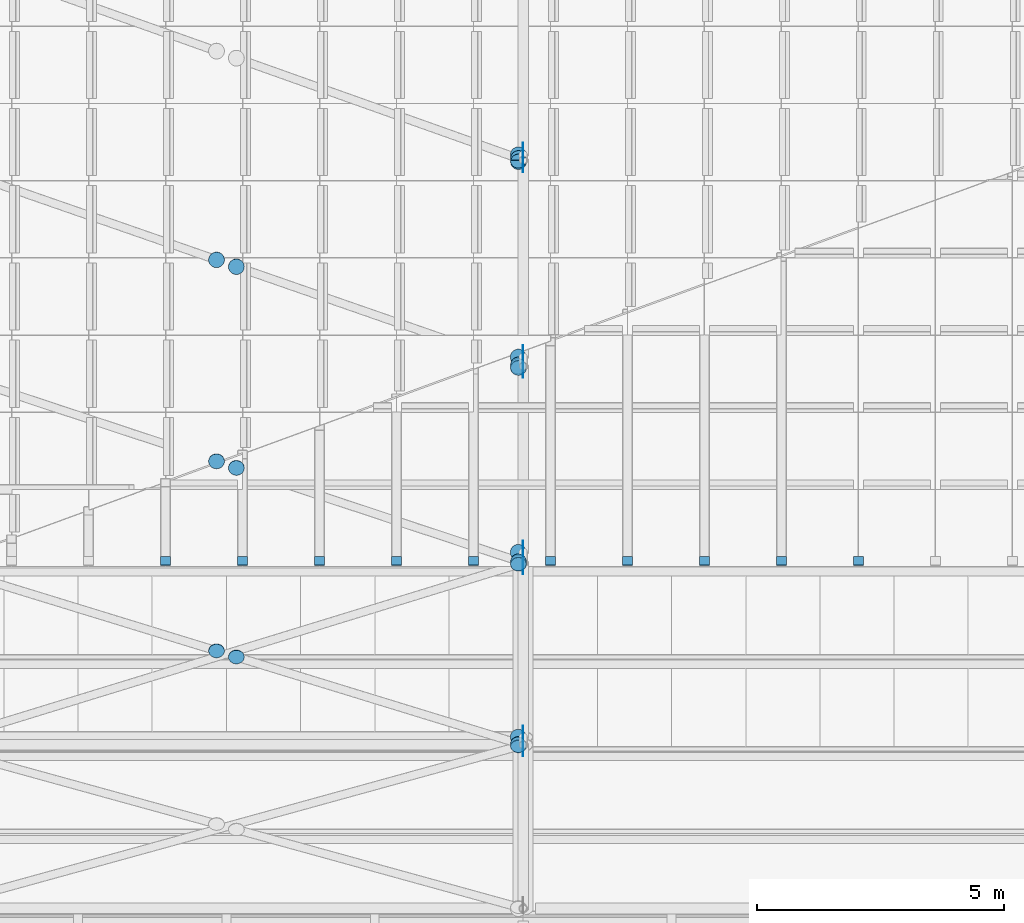
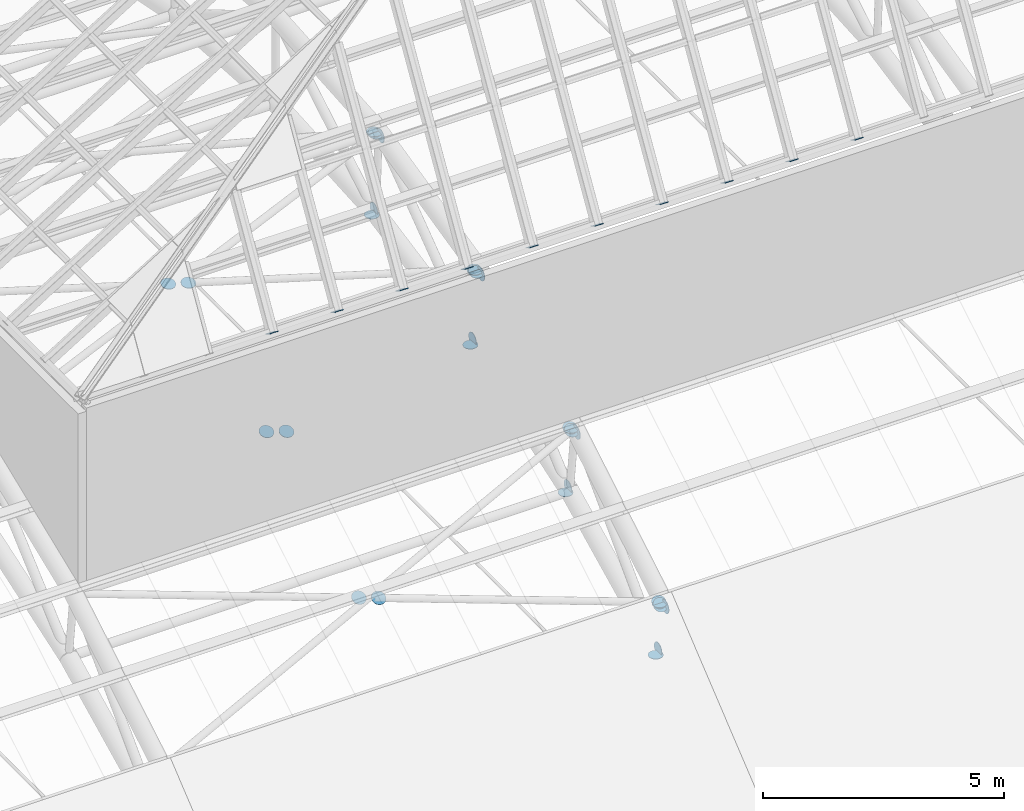
# One storey, part 88 of 110: 40 discrete accessories.
"""IFC4 building model written with IfcOpenShell, lengths in metres."""

from ifc_helpers import new_model, si_unit, direction, frame, origin, origin_2d, place, context, subcontext, project, spatial, rectangle, circle, extrude, material, layer, layer_set, type_object, element, save


model = new_model("IFC4")

# Units and contexts
model_context = context("Model", 3, precision=1e-05, world=origin(), true_north=direction((0.0, 1.0)))
body_context = subcontext(model_context, "Body", "Model", "MODEL_VIEW")
ifc_project = project(units=[si_unit("LENGTHUNIT", "METRE"), si_unit("AREAUNIT", "SQUARE_METRE"), si_unit("VOLUMEUNIT", "CUBIC_METRE"), si_unit("PLANEANGLEUNIT", "RADIAN"), si_unit("MASSUNIT", "GRAM", prefix="KILO")], contexts=[model_context])

# Site, building, storey
site_placement = place(None, origin())
site = spatial("IfcSite", under=ifc_project, at=site_placement, CompositionType="ELEMENT")
building_placement = place(site_placement, origin())
building = spatial("IfcBuilding", under=site, at=building_placement, Name="Windward Yard Aquatics Centre", CompositionType="ELEMENT")
storey_placement = place(building_placement, frame((0.0, 0.0, 22.60009765625)))
storey = spatial("IfcBuildingStorey", under=building, at=storey_placement, Name="L05", CompositionType="ELEMENT", Elevation=22.60009765625)

# Discrete accessories
ifc_material = material(Name="Steel S355", Category="steel")
ifc_layer_1 = layer(ifc_material, 0.010009765625)
ifc_layer_set_1 = layer_set([ifc_layer_1], Name="End cap plate 10 mm RHS203.2x203.2x9.5")
discrete_accessory_type_1 = type_object("IfcDiscreteAccessoryType", Name="End cap plate 10 mm RHS203.2x203.2x9.5", PredefinedType="USERDEFINED", material=ifc_layer_set_1)
for number, where, z_axis, x_axis, name in (
    (1, (108.55224609375, 48.623779296875, 10.8154296875), (0.0, 0.514495755428, 0.857492925713), (-1.0, 0.0, 0.0), "End cap"),
    (2, (111.665283203125, 48.623779296875, 10.8154296875), (0.0, 0.514495755428, 0.857492925713), (-1.0, 0.0, 0.0), "End cap"),
    (3, (105.439208984375, 48.623779296875, 10.8154296875), (0.0, 0.514495755428, 0.857492925713), (-1.0, 0.0, 0.0), "End cap"),
    (4, (102.326171875, 48.623779296875, 10.8154296875), (0.0, 0.514495755428, 0.857492925713), (-1.0, 0.0, 0.0), "End cap"),
    (5, (114.7783203125, 48.623779296875, 10.8154296875), (0.0, 0.514495755428, 0.857492925713), (-1.0, 0.0, 0.0), "End cap"),
    (6, (100.76953125, 48.623779296875, 10.8154296875), (0.0, 0.514495755428, 0.857492925713), (-1.0, 0.0, 0.0), "End cap"),
    (7, (103.882568359375, 48.623779296875, 10.8154296875), (0.0, 0.514495755428, 0.857492925713), (-1.0, 0.0, 0.0), "End cap"),
    (8, (113.2216796875, 48.623779296875, 10.8154296875), (0.0, 0.514495755428, 0.857492925713), (-1.0, 0.0, 0.0), "End cap"),
    (9, (106.99560546875, 48.623779296875, 10.8154296875), (0.0, 0.514495755428, 0.857492925713), (-1.0, 0.0, 0.0), "End cap"),
    (10, (110.108642578125, 48.623779296875, 10.8154296875), (0.0, 0.514495755428, 0.857492925713), (-1.0, 0.0, 0.0), "End cap"),
):
    element("IfcDiscreteAccessory", number, at=place(storey_placement, frame(where, z_axis=z_axis, x_axis=x_axis)), inside=storey, type_object=discrete_accessory_type_1, Name=name, ObjectType="END CAP", PredefinedType="USERDEFINED", context=body_context, shape_type="SweptSolid", body=[
        extrude(rectangle(XDim=0.203125, YDim=0.203125, at=origin_2d()), origin(), (0.0, 0.0, 1.0), 0.010009765625),
    ])
ifc_layer_2 = layer(ifc_material, 0.011962890625)
ifc_layer_set_2 = layer_set([ifc_layer_2], Name="Gusset plate 320 mm disc 12 mm")
discrete_accessory_type_2 = type_object("IfcDiscreteAccessoryType", Name="Gusset plate 320 mm disc 12 mm", PredefinedType="USERDEFINED", material=ifc_layer_set_2)
for number, where, z_axis, x_axis, name in (
    (11, (107.993896484375, 44.841064453125, 3.64306640625), (1.0, 0.0, 0.0), (0.0, 1.0, 0.0), "Gusset plate"),
    (12, (107.993896484375, 45.134765625, 2.390869140625), (1.0, 0.0, 0.0), (0.0, 1.0, 0.0), "Gusset plate"),
    (13, (107.993896484375, 48.520263671875, 5.8291015625), (1.0, 0.0, 0.0), (0.0, 1.0, 0.0), "Gusset plate"),
    (14, (107.993896484375, 48.877685546875, 4.23291015625), (1.0, 0.0, 0.0), (0.0, 1.0, 0.0), "Gusset plate"),
    (15, (107.993896484375, 52.48779296875, 7.4306640625), (1.0, 0.0, 0.0), (0.0, 1.0, 0.0), "Gusset plate"),
    (16, (107.993896484375, 52.83056640625, 5.568603515625), (1.0, 0.0, 0.0), (0.0, 1.0, 0.0), "Gusset plate"),
    (17, (107.993896484375, 56.6513671875, 8.41015625), (1.0, 0.0, 0.0), (0.0, 1.0, 0.0), "Gusset plate"),
    (18, (107.993896484375, 56.92529296875, 6.374755859375), (1.0, 0.0, 0.0), (0.0, 1.0, 0.0), "Gusset plate"),
):
    element("IfcDiscreteAccessory", number, at=place(storey_placement, frame(where, z_axis=z_axis, x_axis=x_axis)), inside=storey, type_object=discrete_accessory_type_2, Name=name, ObjectType="GUSSET PLATE", PredefinedType="USERDEFINED", context=body_context, shape_type="SweptSolid", body=[
        extrude(circle(Radius=0.159912109375, at=origin_2d()), origin(), (0.0, 0.0, 1.0), 0.01220703125),
    ])
for number, where, z_axis, x_axis, name in (
    (19, (107.89990234375, 44.907470703125, 3.7119140625), (0.0, 0.0, 1.0), (1.0, 0.0, 0.0), "Gusset plate"),
    (20, (107.89990234375, 48.59033203125, 5.89453125), (0.0, 0.0, 1.0), (1.0, 0.0, 0.0), "Gusset plate"),
):
    element("IfcDiscreteAccessory", number, at=place(storey_placement, frame(where, z_axis=z_axis, x_axis=x_axis)), inside=storey, type_object=discrete_accessory_type_2, Name=name, ObjectType="GUSSET PLATE", PredefinedType="USERDEFINED", context=body_context, shape_type="SweptSolid", body=[
        extrude(circle(Radius=0.159912109375, at=origin_2d()), origin(), (0.0, 0.0, 1.0), 0.011962890625),
    ])
discrete_accessory_1_placement = place(storey_placement, frame((107.89990234375, 52.5625, 7.49072265625), z_axis=(0.0, 0.0, 1.0), x_axis=(1.0, 0.0, 0.0)))
element("IfcDiscreteAccessory", 21, at=discrete_accessory_1_placement, inside=storey, type_object=discrete_accessory_type_2, Name="Gusset plate", ObjectType="GUSSET PLATE", PredefinedType="USERDEFINED", context=body_context, shape_type="SweptSolid", body=[
    extrude(circle(Radius=0.159912109375, at=origin_2d()), origin(), (0.0, 0.0, 1.0), 0.01220703125),
])
discrete_accessory_2_placement = place(storey_placement, frame((107.89990234375, 56.7314453125, 8.4638671875), z_axis=(0.0, 0.0, 1.0), x_axis=(1.0, 0.0, 0.0)))
element("IfcDiscreteAccessory", 22, at=discrete_accessory_2_placement, inside=storey, type_object=discrete_accessory_type_2, Name="Gusset plate", ObjectType="GUSSET PLATE", PredefinedType="USERDEFINED", context=body_context, shape_type="SweptSolid", body=[
    extrude(circle(Radius=0.159912109375, at=origin_2d()), origin(), (0.0, 0.0, 1.0), 0.011962890625),
])
discrete_accessory_3_placement = place(storey_placement, frame((107.90576171875, 44.877685546875, 3.701171875), z_axis=(0.0, 0.644135745783, -0.764911198117), x_axis=(-1.0, 0.0, 0.0)))
element("IfcDiscreteAccessory", 23, at=discrete_accessory_3_placement, inside=storey, type_object=discrete_accessory_type_2, Name="Gusset plate", ObjectType="GUSSET PLATE", PredefinedType="USERDEFINED", context=body_context, shape_type="SweptSolid", body=[
    extrude(circle(Radius=0.159912109375, at=origin_2d()), origin(), (0.0, 0.0, 1.0), 0.01220703125),
])
discrete_accessory_4_placement = place(storey_placement, frame((107.90576171875, 48.558349609375, 5.888427734375), z_axis=(0.0, 0.511483859768, -0.85929288441), x_axis=(-1.0, 0.0, 0.0)))
element("IfcDiscreteAccessory", 24, at=discrete_accessory_4_placement, inside=storey, type_object=discrete_accessory_type_2, Name="Gusset plate", ObjectType="GUSSET PLATE", PredefinedType="USERDEFINED", context=body_context, shape_type="SweptSolid", body=[
    extrude(circle(Radius=0.159912109375, at=origin_2d()), origin(), (0.0, 0.0, 1.0), 0.011962890625),
])
discrete_accessory_5_placement = place(storey_placement, frame((101.79931640625, 46.807373046875, 4.850830078125), z_axis=(0.0, 0.502620457375, -0.864507186684), x_axis=(-1.0, 0.0, 0.0)))
element("IfcDiscreteAccessory", 25, at=discrete_accessory_5_placement, inside=storey, type_object=discrete_accessory_type_2, Name="Gusset plate", ObjectType="GUSSET PLATE", PredefinedType="USERDEFINED", context=body_context, shape_type="SweptSolid", body=[
    extrude(circle(Radius=0.159912109375, at=origin_2d()), origin(), (0.0, 0.0, 1.0), 0.01220703125),
])
discrete_accessory_6_placement = place(storey_placement, frame((102.20068359375, 46.684326171875, 4.77783203125), z_axis=(0.0, 0.511483859768, -0.85929288441), x_axis=(-1.0, 0.0, 0.0)))
element("IfcDiscreteAccessory", 26, at=discrete_accessory_6_placement, inside=storey, type_object=discrete_accessory_type_2, Name="Gusset plate", ObjectType="GUSSET PLATE", PredefinedType="USERDEFINED", context=body_context, shape_type="SweptSolid", body=[
    extrude(circle(Radius=0.159912109375, at=origin_2d()), origin(), (0.0, 0.0, 1.0), 0.011962890625),
])
for number, where, z_axis, x_axis, name in (
    (27, (107.90576171875, 44.933349609375, 3.740234375), (0.0, 0.502620457375, -0.864507186684), (-1.0, 0.0, 0.0), "Gusset plate"),
    (28, (107.90576171875, 52.529052734375, 7.489990234375), (0.0, 0.38176015442, -0.92426142649), (-1.0, 0.0, 0.0), "Gusset plate"),
):
    element("IfcDiscreteAccessory", number, at=place(storey_placement, frame(where, z_axis=z_axis, x_axis=x_axis)), inside=storey, type_object=discrete_accessory_type_2, Name=name, ObjectType="GUSSET PLATE", PredefinedType="USERDEFINED", context=body_context, shape_type="SweptSolid", body=[
        extrude(circle(Radius=0.159912109375, at=origin_2d()), origin(), (0.0, 0.0, 1.0), 0.01220703125),
    ])
discrete_accessory_7_placement = place(storey_placement, frame((101.79931640625, 50.640625, 6.73095703125), z_axis=(0.0, 0.364399348581, -0.931242779706), x_axis=(-1.0, 0.0, 0.0)))
element("IfcDiscreteAccessory", 29, at=discrete_accessory_7_placement, inside=storey, type_object=discrete_accessory_type_2, Name="Gusset plate", ObjectType="GUSSET PLATE", PredefinedType="USERDEFINED", context=body_context, shape_type="SweptSolid", body=[
    extrude(circle(Radius=0.159912109375, at=origin_2d()), origin(), (0.0, 0.0, 1.0), 0.011962890625),
])
for number, where, z_axis, x_axis, name in (
    (30, (102.20068359375, 50.5078125, 6.677490234375), (0.0, 0.371390676354, -0.928476690885), (-1.0, 0.0, 0.0), "Gusset plate"),
    (31, (107.90576171875, 48.619384765625, 5.91845703125), (0.0, 0.371390676354, -0.928476690885), (-1.0, 0.0, 0.0), "Gusset plate"),
):
    element("IfcDiscreteAccessory", number, at=place(storey_placement, frame(where, z_axis=z_axis, x_axis=x_axis)), inside=storey, type_object=discrete_accessory_type_2, Name=name, ObjectType="GUSSET PLATE", PredefinedType="USERDEFINED", context=body_context, shape_type="SweptSolid", body=[
        extrude(circle(Radius=0.159912109375, at=origin_2d()), origin(), (0.0, 0.0, 1.0), 0.01171875),
    ])
for number, where, z_axis, x_axis, name in (
    (32, (107.90576171875, 56.697509765625, 8.468017578125), (0.0, 0.223376156329, -0.974732318528), (-1.0, 0.0, 0.0), "Gusset plate"),
    (33, (101.79931640625, 54.71533203125, 8.00537109375), (0.0, 0.223376156329, -0.974732318528), (-1.0, 0.0, 0.0), "Gusset plate"),
    (34, (102.20068359375, 54.575927734375, 7.972900390625), (0.0, 0.223376156329, -0.974732318528), (-1.0, 0.0, 0.0), "Gusset plate"),
    (35, (107.90576171875, 52.593994140625, 7.51025390625), (0.0, 0.223376156329, -0.974732318528), (-1.0, 0.0, 0.0), "Gusset plate"),
    (36, (107.90576171875, 56.7646484375, 8.478271484375), (0.0, 0.06111006328, -0.998131033565), (-1.0, 0.0, 0.0), "Gusset plate"),
    (37, (107.89990234375, 45.064697265625, 2.313720703125), (0.0, 0.0, 1.0), (1.0, 0.0, 0.0), "Gusset plate"),
):
    element("IfcDiscreteAccessory", number, at=place(storey_placement, frame(where, z_axis=z_axis, x_axis=x_axis)), inside=storey, type_object=discrete_accessory_type_2, Name=name, ObjectType="GUSSET PLATE", PredefinedType="USERDEFINED", context=body_context, shape_type="SweptSolid", body=[
        extrude(circle(Radius=0.159912109375, at=origin_2d()), origin(), (0.0, 0.0, 1.0), 0.011962890625),
    ])
discrete_accessory_8_placement = place(storey_placement, frame((107.89990234375, 48.802734375, 4.160400390625), z_axis=(0.0, 0.0, 1.0), x_axis=(1.0, 0.0, 0.0)))
element("IfcDiscreteAccessory", 38, at=discrete_accessory_8_placement, inside=storey, type_object=discrete_accessory_type_2, Name="Gusset plate", ObjectType="GUSSET PLATE", PredefinedType="USERDEFINED", context=body_context, shape_type="SweptSolid", body=[
    extrude(circle(Radius=0.159912109375, at=origin_2d()), origin(), (0.0, 0.0, 1.0), 0.01220703125),
])
for number, where, z_axis, x_axis, name in (
    (39, (107.89990234375, 52.750244140625, 5.5029296875), (0.0, 0.0, 1.0), (1.0, 0.0, 0.0), "Gusset plate"),
    (40, (107.89990234375, 56.83935546875, 6.317626953125), (0.0, 0.0, 1.0), (1.0, 0.0, 0.0), "Gusset plate"),
):
    element("IfcDiscreteAccessory", number, at=place(storey_placement, frame(where, z_axis=z_axis, x_axis=x_axis)), inside=storey, type_object=discrete_accessory_type_2, Name=name, ObjectType="GUSSET PLATE", PredefinedType="USERDEFINED", context=body_context, shape_type="SweptSolid", body=[
        extrude(circle(Radius=0.159912109375, at=origin_2d()), origin(), (0.0, 0.0, 1.0), 0.011962890625),
    ])

save(model, "model.ifc")
